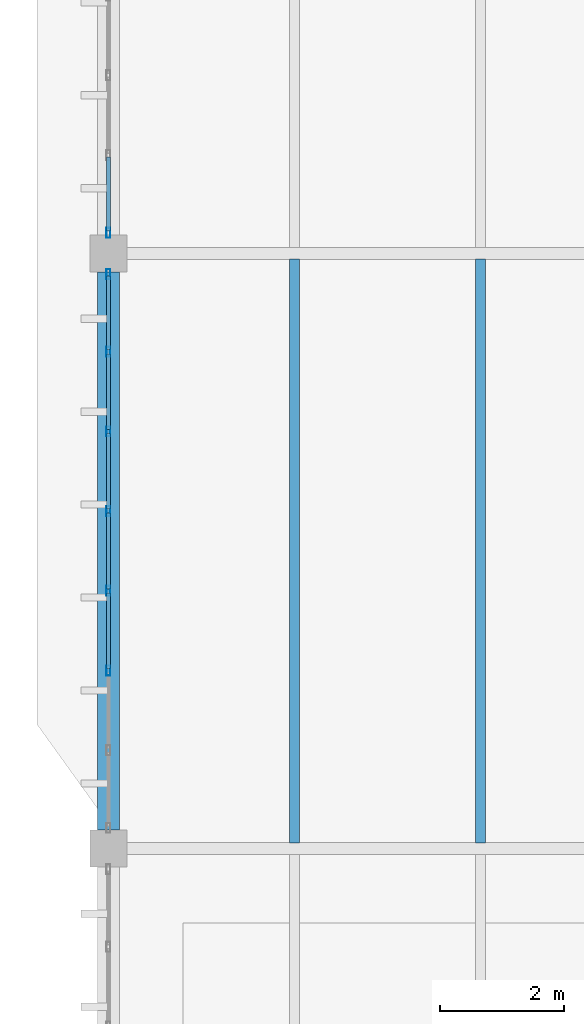
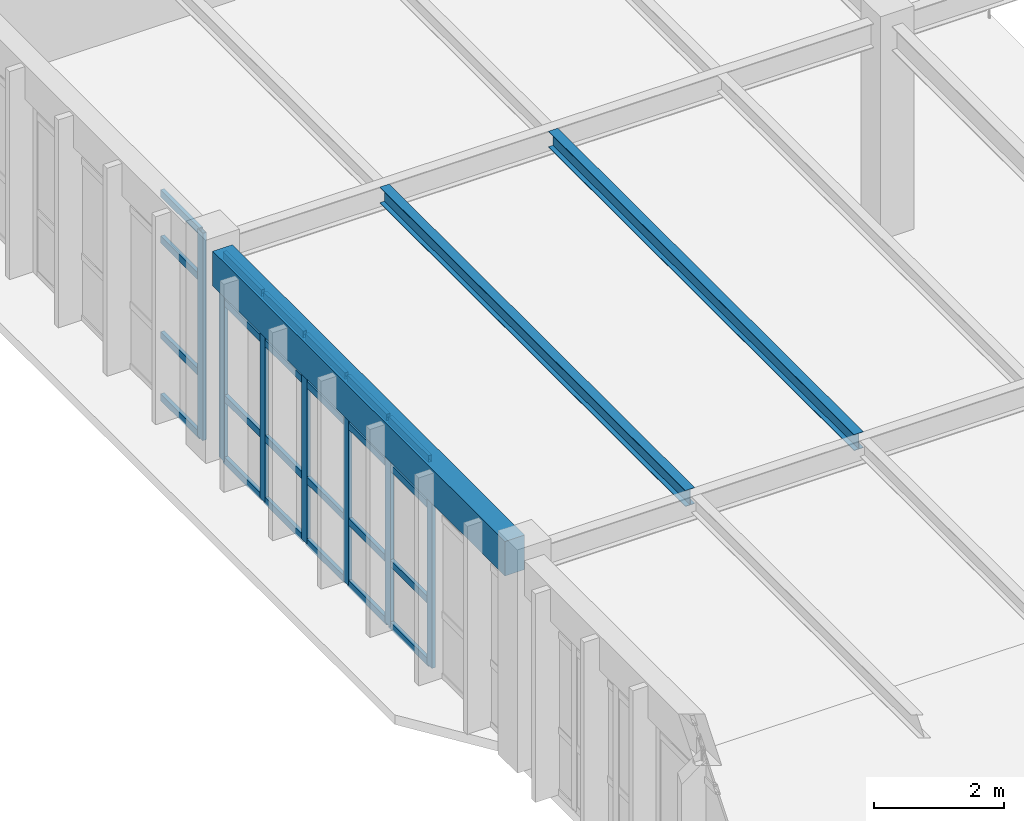
# One storey, part 32 of 83: 31 members, 3 beams, 2 elements without a shape of their own.
"""IFC4 building model written with IfcOpenShell, lengths in metres."""

import ifcopenshell
import ifcopenshell.guid

model = None  # the IFC model being written
_history = None  # IfcOwnerHistory: only IFC2X3 demands one
_inside = {}  # id of a spatial element -> (the spatial element, [elements in it])
_under = {}  # id of a project, library or spatial element -> (it, [spatial elements below it])
_declared = {}  # id of a project -> (the project, [libraries it declares])
_typed = {}  # id of a type object -> (the type object, [elements of that type])
_made_of = {}  # id of a material, layer set ... -> (it, [elements and type objects made of it])


def new_model(schema):
    """Start an empty IFC model of exactly this schema.

    Asked for "IFC4X3", IfcOpenShell would pick the latest addendum, in which some entities
    have other attributes; the version numbers below select the first issue.
    IFC2X3 requires an IfcOwnerHistory on every rooted entity: one is made here for all.
    """
    global model, _history
    if schema == "IFC4X3":
        model = ifcopenshell.file(schema_version=(4, 3, 0, 0))
    else:
        model = ifcopenshell.file(schema=schema)
    _inside.clear()
    _under.clear()
    _declared.clear()
    _typed.clear()
    _made_of.clear()
    _history = None
    if model.schema == "IFC2X3":
        org = make("IfcOrganization", Name="unknown")
        user = make(
            "IfcPersonAndOrganization",
            ThePerson=make("IfcPerson", FamilyName="unknown"),
            TheOrganization=org,
        )
        app = make(
            "IfcApplication",
            ApplicationDeveloper=org,
            Version="unknown",
            ApplicationFullName="unknown",
            ApplicationIdentifier="unknown",
        )
        _history = make(
            "IfcOwnerHistory",
            OwningUser=user,
            OwningApplication=app,
            ChangeAction="ADDED",
            CreationDate=0,
        )
    return model


def make(cls, **values):
    """One entity of the class cls with the attributes given. An attribute that is None is left unset."""
    return model.create_entity(
        cls, **{name: value for name, value in values.items() if value is not None}
    )


def rooted(cls, **values):
    """An entity with a GlobalId (a new one), such as an element, a storey or a relation."""
    return make(cls, GlobalId=ifcopenshell.guid.new(), OwnerHistory=_history, **values)


def si_unit(unit_type, name, prefix=None):
    """IfcSIUnit, for example si_unit("LENGTHUNIT", "METRE", prefix="MILLI")."""
    return make("IfcSIUnit", UnitType=unit_type, Prefix=prefix, Name=name)


def assignment(units):
    """IfcUnitAssignment: the units of a project."""
    return None if units is None else make("IfcUnitAssignment", Units=units)


def point(xyz):
    """IfcCartesianPoint."""
    return None if xyz is None else make("IfcCartesianPoint", Coordinates=xyz)


def direction(xyz):
    """IfcDirection."""
    return None if xyz is None else make("IfcDirection", DirectionRatios=xyz)


def frame(location, z_axis=None, x_axis=None):
    """IfcAxis2Placement3D, a coordinate frame: its origin and axes. An axis left out is left unset."""
    return make(
        "IfcAxis2Placement3D",
        Location=point(location),
        Axis=direction(z_axis),
        RefDirection=direction(x_axis),
    )


def frame_2d(location, x_axis=None):
    """IfcAxis2Placement2D, a coordinate frame in the plane: its origin and x axis."""
    return make(
        "IfcAxis2Placement2D", Location=point(location), RefDirection=direction(x_axis)
    )


def origin():
    """The frame at (0, 0, 0) with its axes left unset."""
    return frame((0.0, 0.0, 0.0))


def origin_2d():
    """The frame at (0, 0) in the plane with its x axis left unset."""
    return frame_2d((0.0, 0.0))


def place(relative_to, where):
    """IfcLocalPlacement: puts the frame where relative to a parent placement (None: the world)."""
    return make(
        "IfcLocalPlacement", PlacementRelTo=relative_to, RelativePlacement=where
    )


def context(
    kind, dimensions, precision=None, world=None, true_north=None, identifier=None
):
    """IfcGeometricRepresentationContext, for example the 3D "Model" context."""
    return make(
        "IfcGeometricRepresentationContext",
        ContextIdentifier=identifier,
        ContextType=kind,
        CoordinateSpaceDimension=dimensions,
        Precision=precision,
        WorldCoordinateSystem=world,
        TrueNorth=true_north,
    )


def subcontext(parent, identifier, kind, view, scale=None):
    """IfcGeometricRepresentationSubContext, for example "Body" below "Model"."""
    return make(
        "IfcGeometricRepresentationSubContext",
        ContextIdentifier=identifier,
        ContextType=kind,
        ParentContext=parent,
        TargetScale=scale,
        TargetView=view,
    )


def project(units=None, contexts=None):
    """IfcProject with its units and contexts."""
    return rooted(
        "IfcProject",
        Name="project",
        RepresentationContexts=contexts,
        UnitsInContext=assignment(units),
    )


def spatial(cls, under=None, at=None, **own):
    """A site, building, storey or space (cls), placed at a placement, below another one or the project."""
    s = rooted(cls, ObjectPlacement=at, **own)
    if under is not None:
        _under.setdefault(under.id(), (under, []))[1].append(s)
    return s


def profile(cls, at=None, kind="AREA", **sizes):
    """A parametric profile (cls). Its sizes go by their IFC names, for example OverallWidth=200.0."""
    return make(cls, ProfileType=kind, Position=at, **sizes)


def rectangle(**sizes):
    """IfcRectangleProfileDef."""
    return profile("IfcRectangleProfileDef", **sizes)


def hollow_rectangle(**sizes):
    """IfcRectangleHollowProfileDef."""
    return profile("IfcRectangleHollowProfileDef", **sizes)


def i_section(**sizes):
    """IfcIShapeProfileDef."""
    return profile("IfcIShapeProfileDef", **sizes)


def extrude(swept, where, along, depth):
    """IfcExtrudedAreaSolid: the profile swept, set in the frame where, extruded along a direction by depth."""
    return make(
        "IfcExtrudedAreaSolid",
        SweptArea=swept,
        Position=where,
        ExtrudedDirection=direction(along),
        Depth=depth,
    )


def shape(context_of_items, identifier, shape_type, items):
    """IfcShapeRepresentation: the items that make up one representation, for example the "Body"."""
    return make(
        "IfcShapeRepresentation",
        ContextOfItems=context_of_items,
        RepresentationIdentifier=identifier,
        RepresentationType=shape_type,
        Items=items,
    )


def material(Name=None, Category=None):
    """IfcMaterial."""
    return make("IfcMaterial", Name=Name, Category=Category)


def layer(
    of_material, thickness, ventilated=None, Name=None, Category=None, Priority=None
):
    """IfcMaterialLayer: one layer of a wall or slab, of a material (None: an air gap)."""
    return make(
        "IfcMaterialLayer",
        Material=of_material,
        LayerThickness=thickness,
        IsVentilated=ventilated,
        Name=Name,
        Category=Category,
        Priority=Priority,
    )


def layer_set(layers, Name=None):
    """IfcMaterialLayerSet."""
    return make("IfcMaterialLayerSet", MaterialLayers=layers, LayerSetName=Name)


def material_profile(
    of_material, cross_section, Name=None, Category=None, Priority=None
):
    """IfcMaterialProfile: a cross section and its material."""
    return make(
        "IfcMaterialProfile",
        Name=Name,
        Material=of_material,
        Profile=cross_section,
        Priority=Priority,
        Category=Category,
    )


def profile_set(profiles, Name=None, composite=None):
    """IfcMaterialProfileSet."""
    return make(
        "IfcMaterialProfileSet",
        Name=Name,
        MaterialProfiles=profiles,
        CompositeProfile=composite,
    )


def made_of(thing, what):
    """Note that an element or type object is made of a material, layer set ...; save() writes the relation."""
    if what is not None:
        _made_of.setdefault(what.id(), (what, []))[1].append(thing)
    return thing


def type_object(cls, material=None, **own):
    """A type object (cls), such as IfcWallType, which elements share."""
    return made_of(rooted(cls, **own), material)


def element(
    cls,
    number,
    at=None,
    inside=None,
    cuts=None,
    type_object=None,
    material=None,
    context=None,
    identifier="Body",
    shape_type=None,
    held_by="IfcProductDefinitionShape",
    body=None,
    shapes=None,
    **own,
):
    """One element of the class cls, such as IfcWall. Its Tag is "e" and its number.

    at: its placement. inside: the storey or other place that contains it. cuts: it is an
    opening in that element (IfcRelVoidsElement). A single representation is given by context,
    identifier, shape_type and body (its items); several are given by shapes. held_by: the class
    of the entity that holds the representations. save() writes the other relations.
    """
    e = rooted(cls, Tag="e%d" % number, ObjectPlacement=at, **own)
    if body is not None:
        shapes = [shape(context, identifier, shape_type, body)]
    if shapes is not None:
        e.Representation = make(held_by, Representations=shapes)
    if inside is not None:
        _inside.setdefault(inside.id(), (inside, []))[1].append(e)
    if cuts is not None:
        rooted(
            "IfcRelVoidsElement", RelatingBuildingElement=cuts, RelatedOpeningElement=e
        )
    if type_object is not None:
        _typed.setdefault(type_object.id(), (type_object, []))[1].append(e)
    return made_of(e, material)


def aggregate(whole, parts):
    """IfcRelAggregates: a whole, such as a stair, and the parts it consists of."""
    return rooted("IfcRelAggregates", RelatingObject=whole, RelatedObjects=parts)


def save(model, path):
    """Write the relations noted so far, then the file.

    IfcRelAggregates (storeys below a building ...), IfcRelContainedInSpatialStructure (elements
    in a storey), IfcRelDefinesByType, IfcRelAssociatesMaterial and IfcRelDeclares: one each for
    every whole, place, type object, material and project.
    """
    for whole, parts in _under.values():
        aggregate(whole, parts)
    for where, things in _inside.values():
        rooted(
            "IfcRelContainedInSpatialStructure",
            RelatedElements=things,
            RelatingStructure=where,
        )
    for kind, things in _typed.values():
        rooted("IfcRelDefinesByType", RelatedObjects=things, RelatingType=kind)
    for what, things in _made_of.values():
        rooted("IfcRelAssociatesMaterial", RelatedObjects=things, RelatingMaterial=what)
    for by, libraries in _declared.values():
        rooted("IfcRelDeclares", RelatingContext=by, RelatedDefinitions=libraries)
    model.write(path)


model = new_model("IFC4")

# Units and contexts
model_context = context("Model", 3, precision=1e-05, world=origin(), true_north=direction((0.0, 1.0)))
body_context = subcontext(model_context, "Body", "Model", "MODEL_VIEW")
ifc_project = project(units=[si_unit("LENGTHUNIT", "METRE"), si_unit("AREAUNIT", "SQUARE_METRE"), si_unit("VOLUMEUNIT", "CUBIC_METRE"), si_unit("PLANEANGLEUNIT", "RADIAN"), si_unit("MASSUNIT", "GRAM", prefix="KILO")], contexts=[model_context])

# Site, building, storey
site_placement = place(None, origin())
site = spatial("IfcSite", under=ifc_project, at=site_placement, CompositionType="ELEMENT")
building_placement = place(site_placement, origin())
building = spatial("IfcBuilding", under=site, at=building_placement, Name="Pandanus Reach Market Hall", CompositionType="ELEMENT")
storey_placement = place(building_placement, frame((0.0, 0.0, 10.199951171875)))
storey = spatial("IfcBuildingStorey", under=building, at=storey_placement, Name="L02", CompositionType="ELEMENT", Elevation=10.199951171875)

# Beam
ifc_material_1 = material(Name="Concrete N40 (40 MPa)", Category="concrete")
ifc_material_profile_1 = material_profile(ifc_material_1, rectangle(XDim=0.35009765625, YDim=0.64990234375, at=origin_2d()), Name="RC350x650", Category="LoadBearing")
ifc_profile_set_1 = profile_set([ifc_material_profile_1], Name="Concrete N40 (40 MPa)")
beam_type_1 = type_object("IfcBeamType", Name="BM-RC350-E", PredefinedType="SPANDREL", material=ifc_profile_set_1)
beam_placement = place(storey_placement, frame((144.0, 29.097900390625, 3.625), z_axis=(0.0, 1.0, 0.0), x_axis=(-1.0, 0.0, 0.0)))
element("IfcBeam", 1, at=beam_placement, inside=storey, type_object=beam_type_1, Name="Framing beam BM-RC350-E L02.462", PredefinedType="SPANDREL", context=body_context, shape_type="SweptSolid", body=[
    extrude(rectangle(XDim=0.35009765625, YDim=0.64990234375, at=origin_2d()), origin(), (0.0, 0.0, 1.0), 9.004150390625),
])

# Curtain wall, members
ifc_material_2 = material(Name="Bronze anodised aluminium and low-E glass", Category="aluminium")
ifc_layer = layer(ifc_material_2, 0.159912109375, Name="CW-33")
ifc_layer_set = layer_set([ifc_layer], Name="Bronze anodised aluminium and low-E glass")
curtain_wall_type = type_object("IfcCurtainWallType", Name="CW-33", PredefinedType="NOTDEFINED", material=ifc_layer_set)
curtain_wall_1_placement = place(storey_placement, origin())
curtain_wall_1 = element("IfcCurtainWall", 2, at=curtain_wall_1_placement, inside=storey, type_object=curtain_wall_type, Name="Glazed curtain wall CW-33 CW-0110", PredefinedType="NOTDEFINED")
ifc_material_3 = material(Name="Bronze anodised aluminium", Category="aluminium")
ifc_material_profile_2 = material_profile(ifc_material_3, hollow_rectangle(XDim=0.06494140625, YDim=0.159912109375, WallThickness=0.00390625, at=origin_2d()), Name="ALU65x160", Category="LoadBearing")
ifc_profile_set_2 = profile_set([ifc_material_profile_2], Name="Bronze anodised aluminium")
member_type_1 = type_object("IfcMemberType", Name="CW-M1", PredefinedType="MULLION", material=ifc_profile_set_2)
member_1_placement = place(storey_placement, frame((144.0, 31.67138671875, 0.0), z_axis=(0.0, 0.0, 1.0), x_axis=(-1.0, 0.0, 0.0)))
member_1 = element("IfcMember", 3, at=member_1_placement, type_object=member_type_1, Name="CW-33 mullion 3", PredefinedType="MULLION", context=body_context, shape_type="SweptSolid", body=[
    extrude(hollow_rectangle(XDim=0.06494140625, YDim=0.159912109375, WallThickness=0.00390625, at=origin_2d()), origin(), (0.0, 0.0, 1.0), 3.900146484375),
])
member_2_placement = place(storey_placement, frame((144.0, 32.95703125, 0.0), z_axis=(0.0, 0.0, 1.0), x_axis=(-1.0, 0.0, 0.0)))
member_2 = element("IfcMember", 4, at=member_2_placement, type_object=member_type_1, Name="CW-33 mullion 4", PredefinedType="MULLION", context=body_context, shape_type="SweptSolid", body=[
    extrude(hollow_rectangle(XDim=0.06494140625, YDim=0.159912109375, WallThickness=0.00390625, at=origin_2d()), origin(), (0.0, 0.0, 1.0), 3.900146484375),
])
member_3_placement = place(storey_placement, frame((144.0, 34.242919921875, 0.0), z_axis=(0.0, 0.0, 1.0), x_axis=(-1.0, 0.0, 0.0)))
member_3 = element("IfcMember", 5, at=member_3_placement, type_object=member_type_1, Name="CW-33 mullion 5", PredefinedType="MULLION", context=body_context, shape_type="SweptSolid", body=[
    extrude(hollow_rectangle(XDim=0.06494140625, YDim=0.159912109375, WallThickness=0.00390625, at=origin_2d()), origin(), (0.0, 0.0, 1.0), 3.900146484375),
])
member_4_placement = place(storey_placement, frame((144.0, 35.528564453125, 0.0), z_axis=(0.0, 0.0, 1.0), x_axis=(-1.0, 0.0, 0.0)))
member_4 = element("IfcMember", 6, at=member_4_placement, type_object=member_type_1, Name="CW-33 mullion 6", PredefinedType="MULLION", context=body_context, shape_type="SweptSolid", body=[
    extrude(hollow_rectangle(XDim=0.06494140625, YDim=0.159912109375, WallThickness=0.00390625, at=origin_2d()), origin(), (0.0, 0.0, 1.0), 3.900146484375),
])
member_5_placement = place(storey_placement, frame((144.0, 36.814208984375, 0.0), z_axis=(0.0, 0.0, 1.0), x_axis=(-1.0, 0.0, 0.0)))
member_5 = element("IfcMember", 7, at=member_5_placement, type_object=member_type_1, Name="CW-33 mullion 7", PredefinedType="MULLION", context=body_context, shape_type="SweptSolid", body=[
    extrude(hollow_rectangle(XDim=0.06494140625, YDim=0.159912109375, WallThickness=0.00390625, at=origin_2d()), origin(), (0.0, 0.0, 1.0), 3.900146484375),
])
member_6_placement = place(storey_placement, frame((144.0, 38.0673828125, 0.0), z_axis=(0.0, 0.0, 1.0), x_axis=(-1.0, 0.0, 0.0)))
member_6 = element("IfcMember", 8, at=member_6_placement, type_object=member_type_1, Name="CW-33 mullion 8", PredefinedType="MULLION", context=body_context, shape_type="SweptSolid", body=[
    extrude(hollow_rectangle(XDim=0.06494140625, YDim=0.159912109375, WallThickness=0.00390625, at=origin_2d()), origin(), (0.0, 0.0, 1.0), 3.900146484375),
])

# Curtain wall, member
curtain_wall_2_placement = place(storey_placement, origin())
curtain_wall_2 = element("IfcCurtainWall", 9, at=curtain_wall_2_placement, inside=storey, type_object=curtain_wall_type, Name="Glazed curtain wall CW-33 CW-0111", PredefinedType="NOTDEFINED")
member_7_placement = place(storey_placement, frame((144.0, 38.732421875, 0.0), z_axis=(0.0, 0.0, 1.0), x_axis=(-1.0, 0.0, 0.0)))
member_7 = element("IfcMember", 10, at=member_7_placement, type_object=member_type_1, Name="CW-33 mullion 1", PredefinedType="MULLION", context=body_context, shape_type="SweptSolid", body=[
    extrude(hollow_rectangle(XDim=0.06494140625, YDim=0.159912109375, WallThickness=0.00390625, at=origin_2d()), origin(), (0.0, 0.0, 1.0), 3.900146484375),
])

# Member
ifc_material_profile_3 = material_profile(ifc_material_3, hollow_rectangle(XDim=0.06494140625, YDim=0.1298828125, WallThickness=0.00390625, at=origin_2d()), Name="ALU65x130", Category="LoadBearing")
ifc_profile_set_3 = profile_set([ifc_material_profile_3], Name="Bronze anodised aluminium")
member_type_2 = type_object("IfcMemberType", Name="CW-T1", PredefinedType="USERDEFINED", material=ifc_profile_set_3)
member_8_placement = place(storey_placement, frame((144.0, 31.703857421875, 0.032470703125), z_axis=(0.0, 1.0, 0.0), x_axis=(-1.0, 0.0, 0.0)))
member_8 = element("IfcMember", 11, at=member_8_placement, type_object=member_type_2, Name="CW-33 transom 3.1", ObjectType="TRANSOM", PredefinedType="USERDEFINED", context=body_context, shape_type="SweptSolid", body=[
    extrude(hollow_rectangle(XDim=0.06494140625, YDim=0.1298828125, WallThickness=0.00390625, at=origin_2d()), origin(), (0.0, 0.0, 1.0), 1.220703125),
])

member_9_placement = place(storey_placement, frame((144.0, 31.703857421875, 1.199951171875), z_axis=(0.0, 1.0, 0.0), x_axis=(-1.0, 0.0, 0.0)))
member_9 = element("IfcMember", 12, at=member_9_placement, type_object=member_type_2, Name="CW-33 transom 3.2", ObjectType="TRANSOM", PredefinedType="USERDEFINED", context=body_context, shape_type="SweptSolid", body=[
    extrude(hollow_rectangle(XDim=0.06494140625, YDim=0.1298828125, WallThickness=0.00390625, at=origin_2d()), origin(), (0.0, 0.0, 1.0), 1.220703125),
])

member_10_placement = place(storey_placement, frame((144.0, 31.703857421875, 3.0), z_axis=(0.0, 1.0, 0.0), x_axis=(-1.0, 0.0, 0.0)))
member_10 = element("IfcMember", 13, at=member_10_placement, type_object=member_type_2, Name="CW-33 transom 3.3", ObjectType="TRANSOM", PredefinedType="USERDEFINED", context=body_context, shape_type="SweptSolid", body=[
    extrude(hollow_rectangle(XDim=0.06494140625, YDim=0.1298828125, WallThickness=0.00390625, at=origin_2d()), origin(), (0.0, 0.0, 1.0), 1.220703125),
])

member_11_placement = place(storey_placement, frame((144.0, 31.703857421875, 3.867431640625), z_axis=(0.0, 1.0, 0.0), x_axis=(-1.0, 0.0, 0.0)))
member_11 = element("IfcMember", 14, at=member_11_placement, type_object=member_type_2, Name="CW-33 transom 3.4", ObjectType="TRANSOM", PredefinedType="USERDEFINED", context=body_context, shape_type="SweptSolid", body=[
    extrude(hollow_rectangle(XDim=0.06494140625, YDim=0.1298828125, WallThickness=0.00390625, at=origin_2d()), origin(), (0.0, 0.0, 1.0), 1.220703125),
])

member_12_placement = place(storey_placement, frame((144.0, 32.98974609375, 0.032470703125), z_axis=(0.0, 1.0, 0.0), x_axis=(-1.0, 0.0, 0.0)))
member_12 = element("IfcMember", 15, at=member_12_placement, type_object=member_type_2, Name="CW-33 transom 4.1", ObjectType="TRANSOM", PredefinedType="USERDEFINED", context=body_context, shape_type="SweptSolid", body=[
    extrude(hollow_rectangle(XDim=0.06494140625, YDim=0.1298828125, WallThickness=0.00390625, at=origin_2d()), origin(), (0.0, 0.0, 1.0), 1.220703125),
])

member_13_placement = place(storey_placement, frame((144.0, 32.98974609375, 1.199951171875), z_axis=(0.0, 1.0, 0.0), x_axis=(-1.0, 0.0, 0.0)))
member_13 = element("IfcMember", 16, at=member_13_placement, type_object=member_type_2, Name="CW-33 transom 4.2", ObjectType="TRANSOM", PredefinedType="USERDEFINED", context=body_context, shape_type="SweptSolid", body=[
    extrude(hollow_rectangle(XDim=0.06494140625, YDim=0.1298828125, WallThickness=0.00390625, at=origin_2d()), origin(), (0.0, 0.0, 1.0), 1.220703125),
])

member_14_placement = place(storey_placement, frame((144.0, 32.98974609375, 3.0), z_axis=(0.0, 1.0, 0.0), x_axis=(-1.0, 0.0, 0.0)))
member_14 = element("IfcMember", 17, at=member_14_placement, type_object=member_type_2, Name="CW-33 transom 4.3", ObjectType="TRANSOM", PredefinedType="USERDEFINED", context=body_context, shape_type="SweptSolid", body=[
    extrude(hollow_rectangle(XDim=0.06494140625, YDim=0.1298828125, WallThickness=0.00390625, at=origin_2d()), origin(), (0.0, 0.0, 1.0), 1.220703125),
])

member_15_placement = place(storey_placement, frame((144.0, 32.98974609375, 3.867431640625), z_axis=(0.0, 1.0, 0.0), x_axis=(-1.0, 0.0, 0.0)))
member_15 = element("IfcMember", 18, at=member_15_placement, type_object=member_type_2, Name="CW-33 transom 4.4", ObjectType="TRANSOM", PredefinedType="USERDEFINED", context=body_context, shape_type="SweptSolid", body=[
    extrude(hollow_rectangle(XDim=0.06494140625, YDim=0.1298828125, WallThickness=0.00390625, at=origin_2d()), origin(), (0.0, 0.0, 1.0), 1.220703125),
])

member_16_placement = place(storey_placement, frame((144.0, 34.275390625, 0.032470703125), z_axis=(0.0, 1.0, 0.0), x_axis=(-1.0, 0.0, 0.0)))
member_16 = element("IfcMember", 19, at=member_16_placement, type_object=member_type_2, Name="CW-33 transom 5.1", ObjectType="TRANSOM", PredefinedType="USERDEFINED", context=body_context, shape_type="SweptSolid", body=[
    extrude(hollow_rectangle(XDim=0.06494140625, YDim=0.1298828125, WallThickness=0.00390625, at=origin_2d()), origin(), (0.0, 0.0, 1.0), 1.220703125),
])

member_17_placement = place(storey_placement, frame((144.0, 34.275390625, 1.199951171875), z_axis=(0.0, 1.0, 0.0), x_axis=(-1.0, 0.0, 0.0)))
member_17 = element("IfcMember", 20, at=member_17_placement, type_object=member_type_2, Name="CW-33 transom 5.2", ObjectType="TRANSOM", PredefinedType="USERDEFINED", context=body_context, shape_type="SweptSolid", body=[
    extrude(hollow_rectangle(XDim=0.06494140625, YDim=0.1298828125, WallThickness=0.00390625, at=origin_2d()), origin(), (0.0, 0.0, 1.0), 1.220703125),
])

member_18_placement = place(storey_placement, frame((144.0, 34.275390625, 3.0), z_axis=(0.0, 1.0, 0.0), x_axis=(-1.0, 0.0, 0.0)))
member_18 = element("IfcMember", 21, at=member_18_placement, type_object=member_type_2, Name="CW-33 transom 5.3", ObjectType="TRANSOM", PredefinedType="USERDEFINED", context=body_context, shape_type="SweptSolid", body=[
    extrude(hollow_rectangle(XDim=0.06494140625, YDim=0.1298828125, WallThickness=0.00390625, at=origin_2d()), origin(), (0.0, 0.0, 1.0), 1.220703125),
])

member_19_placement = place(storey_placement, frame((144.0, 34.275390625, 3.867431640625), z_axis=(0.0, 1.0, 0.0), x_axis=(-1.0, 0.0, 0.0)))
member_19 = element("IfcMember", 22, at=member_19_placement, type_object=member_type_2, Name="CW-33 transom 5.4", ObjectType="TRANSOM", PredefinedType="USERDEFINED", context=body_context, shape_type="SweptSolid", body=[
    extrude(hollow_rectangle(XDim=0.06494140625, YDim=0.1298828125, WallThickness=0.00390625, at=origin_2d()), origin(), (0.0, 0.0, 1.0), 1.220703125),
])

member_20_placement = place(storey_placement, frame((144.0, 35.56103515625, 0.032470703125), z_axis=(0.0, 1.0, 0.0), x_axis=(-1.0, 0.0, 0.0)))
member_20 = element("IfcMember", 23, at=member_20_placement, type_object=member_type_2, Name="CW-33 transom 6.1", ObjectType="TRANSOM", PredefinedType="USERDEFINED", context=body_context, shape_type="SweptSolid", body=[
    extrude(hollow_rectangle(XDim=0.06494140625, YDim=0.1298828125, WallThickness=0.00390625, at=origin_2d()), origin(), (0.0, 0.0, 1.0), 1.220703125),
])

member_21_placement = place(storey_placement, frame((144.0, 35.56103515625, 1.199951171875), z_axis=(0.0, 1.0, 0.0), x_axis=(-1.0, 0.0, 0.0)))
member_21 = element("IfcMember", 24, at=member_21_placement, type_object=member_type_2, Name="CW-33 transom 6.2", ObjectType="TRANSOM", PredefinedType="USERDEFINED", context=body_context, shape_type="SweptSolid", body=[
    extrude(hollow_rectangle(XDim=0.06494140625, YDim=0.1298828125, WallThickness=0.00390625, at=origin_2d()), origin(), (0.0, 0.0, 1.0), 1.220703125),
])

member_22_placement = place(storey_placement, frame((144.0, 35.56103515625, 3.0), z_axis=(0.0, 1.0, 0.0), x_axis=(-1.0, 0.0, 0.0)))
member_22 = element("IfcMember", 25, at=member_22_placement, type_object=member_type_2, Name="CW-33 transom 6.3", ObjectType="TRANSOM", PredefinedType="USERDEFINED", context=body_context, shape_type="SweptSolid", body=[
    extrude(hollow_rectangle(XDim=0.06494140625, YDim=0.1298828125, WallThickness=0.00390625, at=origin_2d()), origin(), (0.0, 0.0, 1.0), 1.220703125),
])

member_23_placement = place(storey_placement, frame((144.0, 35.56103515625, 3.867431640625), z_axis=(0.0, 1.0, 0.0), x_axis=(-1.0, 0.0, 0.0)))
member_23 = element("IfcMember", 26, at=member_23_placement, type_object=member_type_2, Name="CW-33 transom 6.4", ObjectType="TRANSOM", PredefinedType="USERDEFINED", context=body_context, shape_type="SweptSolid", body=[
    extrude(hollow_rectangle(XDim=0.06494140625, YDim=0.1298828125, WallThickness=0.00390625, at=origin_2d()), origin(), (0.0, 0.0, 1.0), 1.220703125),
])

member_24_placement = place(storey_placement, frame((144.0, 36.8466796875, 0.032470703125), z_axis=(0.0, 1.0, 0.0), x_axis=(-1.0, 0.0, 0.0)))
member_24 = element("IfcMember", 27, at=member_24_placement, type_object=member_type_2, Name="CW-33 transom 7.1", ObjectType="TRANSOM", PredefinedType="USERDEFINED", context=body_context, shape_type="SweptSolid", body=[
    extrude(hollow_rectangle(XDim=0.06494140625, YDim=0.1298828125, WallThickness=0.00390625, at=origin_2d()), origin(), (0.0, 0.0, 1.0), 1.188232421875),
])

member_25_placement = place(storey_placement, frame((144.0, 36.8466796875, 1.199951171875), z_axis=(0.0, 1.0, 0.0), x_axis=(-1.0, 0.0, 0.0)))
member_25 = element("IfcMember", 28, at=member_25_placement, type_object=member_type_2, Name="CW-33 transom 7.2", ObjectType="TRANSOM", PredefinedType="USERDEFINED", context=body_context, shape_type="SweptSolid", body=[
    extrude(hollow_rectangle(XDim=0.06494140625, YDim=0.1298828125, WallThickness=0.00390625, at=origin_2d()), origin(), (0.0, 0.0, 1.0), 1.188232421875),
])

member_26_placement = place(storey_placement, frame((144.0, 36.8466796875, 3.0), z_axis=(0.0, 1.0, 0.0), x_axis=(-1.0, 0.0, 0.0)))
member_26 = element("IfcMember", 29, at=member_26_placement, type_object=member_type_2, Name="CW-33 transom 7.3", ObjectType="TRANSOM", PredefinedType="USERDEFINED", context=body_context, shape_type="SweptSolid", body=[
    extrude(hollow_rectangle(XDim=0.06494140625, YDim=0.1298828125, WallThickness=0.00390625, at=origin_2d()), origin(), (0.0, 0.0, 1.0), 1.188232421875),
])

member_27_placement = place(storey_placement, frame((144.0, 36.8466796875, 3.867431640625), z_axis=(0.0, 1.0, 0.0), x_axis=(-1.0, 0.0, 0.0)))
member_27 = element("IfcMember", 30, at=member_27_placement, type_object=member_type_2, Name="CW-33 transom 7.4", ObjectType="TRANSOM", PredefinedType="USERDEFINED", context=body_context, shape_type="SweptSolid", body=[
    extrude(hollow_rectangle(XDim=0.06494140625, YDim=0.1298828125, WallThickness=0.00390625, at=origin_2d()), origin(), (0.0, 0.0, 1.0), 1.188232421875),
])

aggregate(curtain_wall_1, [member_1, member_2, member_3, member_4, member_5, member_6, member_8, member_9, member_10, member_11, member_12, member_13, member_14, member_15, member_16, member_17, member_18, member_19, member_20, member_21, member_22, member_23, member_24, member_25, member_26, member_27])

member_28_placement = place(storey_placement, frame((144.0, 38.764892578125, 0.032470703125), z_axis=(0.0, 1.0, 0.0), x_axis=(-1.0, 0.0, 0.0)))
member_28 = element("IfcMember", 31, at=member_28_placement, type_object=member_type_2, Name="CW-33 transom 1.1", ObjectType="TRANSOM", PredefinedType="USERDEFINED", context=body_context, shape_type="SweptSolid", body=[
    extrude(hollow_rectangle(XDim=0.06494140625, YDim=0.1298828125, WallThickness=0.00390625, at=origin_2d()), origin(), (0.0, 0.0, 1.0), 1.188232421875),
])

member_29_placement = place(storey_placement, frame((144.0, 38.764892578125, 1.199951171875), z_axis=(0.0, 1.0, 0.0), x_axis=(-1.0, 0.0, 0.0)))
member_29 = element("IfcMember", 32, at=member_29_placement, type_object=member_type_2, Name="CW-33 transom 1.2", ObjectType="TRANSOM", PredefinedType="USERDEFINED", context=body_context, shape_type="SweptSolid", body=[
    extrude(hollow_rectangle(XDim=0.06494140625, YDim=0.1298828125, WallThickness=0.00390625, at=origin_2d()), origin(), (0.0, 0.0, 1.0), 1.188232421875),
])

member_30_placement = place(storey_placement, frame((144.0, 38.764892578125, 3.0), z_axis=(0.0, 1.0, 0.0), x_axis=(-1.0, 0.0, 0.0)))
member_30 = element("IfcMember", 33, at=member_30_placement, type_object=member_type_2, Name="CW-33 transom 1.3", ObjectType="TRANSOM", PredefinedType="USERDEFINED", context=body_context, shape_type="SweptSolid", body=[
    extrude(hollow_rectangle(XDim=0.06494140625, YDim=0.1298828125, WallThickness=0.00390625, at=origin_2d()), origin(), (0.0, 0.0, 1.0), 1.188232421875),
])

member_31_placement = place(storey_placement, frame((144.0, 38.764892578125, 3.867431640625), z_axis=(0.0, 1.0, 0.0), x_axis=(-1.0, 0.0, 0.0)))
member_31 = element("IfcMember", 34, at=member_31_placement, type_object=member_type_2, Name="CW-33 transom 1.4", ObjectType="TRANSOM", PredefinedType="USERDEFINED", context=body_context, shape_type="SweptSolid", body=[
    extrude(hollow_rectangle(XDim=0.06494140625, YDim=0.1298828125, WallThickness=0.00390625, at=origin_2d()), origin(), (0.0, 0.0, 1.0), 1.188232421875),
])

aggregate(curtain_wall_2, [member_7, member_28, member_29, member_30, member_31])

# Beams
ifc_material_4 = material(Name="Steel Grade 350 (350 MPa)", Category="steel")
ifc_material_profile_4 = material_profile(ifc_material_4, i_section(OverallWidth=0.1650390625, OverallDepth=0.303955078125, WebThickness=0.006103515625, FlangeThickness=0.01025390625, at=origin_2d()), Name="310UB40.4", Category="LoadBearing")
ifc_profile_set_4 = profile_set([ifc_material_profile_4], Name="Steel Grade 350 (350 MPa)")
beam_type_2 = type_object("IfcBeamType", Name="JS-UB310-I", PredefinedType="JOIST", material=ifc_profile_set_4)
for number, where, z_axis, x_axis, name in (
    (35, (147.0, 28.89306640625, 3.797607421875), (0.0, 1.0, 0.0), (-1.0, 0.0, 0.0), "Secondary joist JS-UB310-I L02.492"),
    (36, (150.0, 28.89306640625, 3.797607421875), (0.0, 1.0, 0.0), (-1.0, 0.0, 0.0), "Secondary joist JS-UB310-I L02.493"),
):
    element("IfcBeam", number, at=place(storey_placement, frame(where, z_axis=z_axis, x_axis=x_axis)), inside=storey, type_object=beam_type_2, Name=name, PredefinedType="JOIST", context=body_context, shape_type="SweptSolid", body=[
        extrude(i_section(OverallWidth=0.1650390625, OverallDepth=0.303955078125, WebThickness=0.006103515625, FlangeThickness=0.01025390625, at=origin_2d()), origin(), (0.0, 0.0, 1.0), 9.413818359375),
    ])

save(model, "model.ifc")
